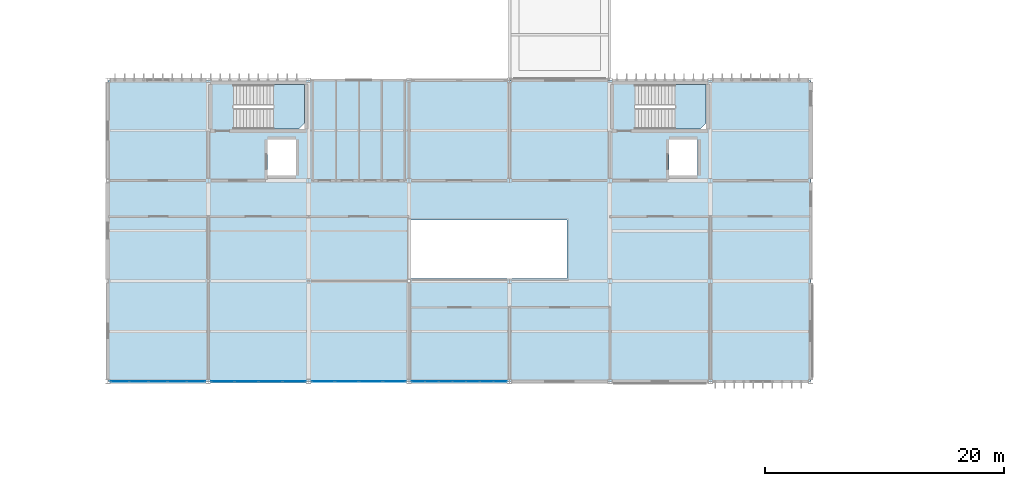
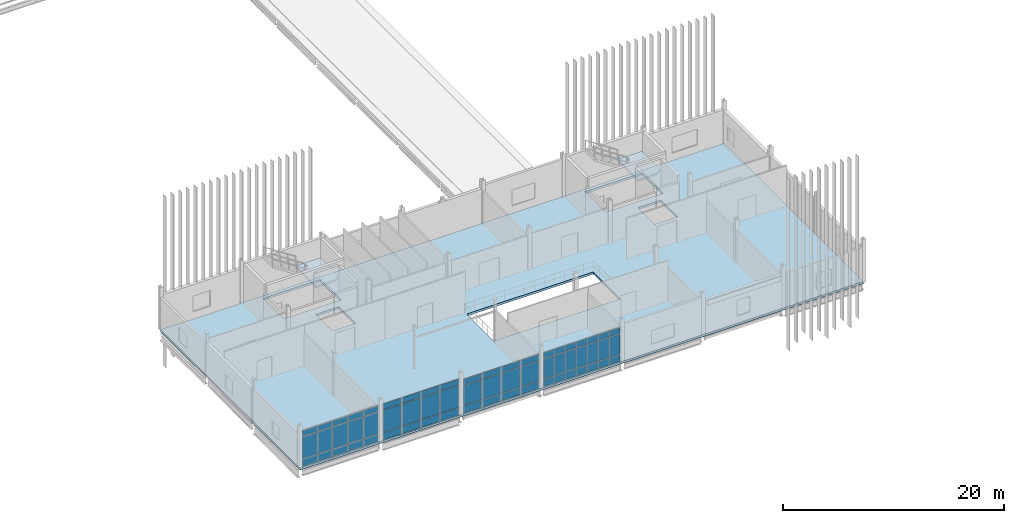
# One storey, part 29 of 72: 60 plates, 3 slabs, 6 elements without a shape of their own.
"""IFC4 building model written with IfcOpenShell, lengths in metres."""

from ifc_helpers import new_model, si_unit, direction, frame, origin, origin_2d, place, context, subcontext, project, spatial, polyline, rectangle, outline, extrude, material, layer, layer_set, type_object, element, aggregate, save


model = new_model("IFC4")

# Units and contexts
model_context = context("Model", 3, precision=1e-05, world=origin(), true_north=direction((0.0, 1.0)))
body_context = subcontext(model_context, "Body", "Model", "MODEL_VIEW")
ifc_project = project(units=[si_unit("LENGTHUNIT", "METRE"), si_unit("AREAUNIT", "SQUARE_METRE"), si_unit("VOLUMEUNIT", "CUBIC_METRE"), si_unit("PLANEANGLEUNIT", "RADIAN"), si_unit("MASSUNIT", "GRAM", prefix="KILO")], contexts=[model_context])

# Site, building, storey
site_placement = place(None, origin())
site = spatial("IfcSite", under=ifc_project, at=site_placement, CompositionType="ELEMENT")
building_placement = place(site_placement, origin())
building = spatial("IfcBuilding", under=site, at=building_placement, Name="Calvrana Isthmian Art Gallery", CompositionType="ELEMENT")
storey_placement = place(building_placement, frame((0.0, 0.0, 15.0)))
storey = spatial("IfcBuildingStorey", under=building, at=storey_placement, Name="L03", CompositionType="ELEMENT", Elevation=15.0)

# Curtain wall, plates
ifc_material_1 = material(Name="Anodized bronze aluminium 6063-T6", Category="aluminium")
ifc_layer_1 = layer(ifc_material_1, 0.179931640625, Name="Anodized bronze aluminium 6063-T6")
ifc_layer_set_1 = layer_set([ifc_layer_1], Name="Anodized bronze aluminium 6063-T6")
curtain_wall_type_1 = type_object("IfcCurtainWallType", Name="CW-STICK-080X41", PredefinedType="NOTDEFINED", material=ifc_layer_set_1)
curtain_wall_1_placement = place(storey_placement, origin())
curtain_wall_1 = element("IfcCurtainWall", 1, at=curtain_wall_1_placement, inside=storey, type_object=curtain_wall_type_1, Name="Curtain wall CW-190", PredefinedType="NOTDEFINED")
ifc_material_2 = material(Name="Polychrome glazed terracotta", Category="masonry")
ifc_layer_2 = layer(ifc_material_2, 0.033935546875, Name="Polychrome glazed terracotta")
ifc_layer_set_2 = layer_set([ifc_layer_2], Name="Polychrome glazed terracotta")
plate_type_1 = type_object("IfcPlateType", Name="CWP-SPANDREL-34", PredefinedType="CURTAIN_PANEL", material=ifc_layer_set_2)
plate_1_placement = place(storey_placement, frame((37.19140625, 21.60009765625, 0.06005859375), z_axis=(0.0, 0.0, 1.0), x_axis=(-1.0, 0.0, 0.0)))
plate_1 = element("IfcPlate", 2, at=plate_1_placement, type_object=plate_type_1, Name="CW-190 panel 1.1", PredefinedType="CURTAIN_PANEL", context=body_context, shape_type="SweptSolid", body=[
    extrude(rectangle(XDim=1.894287109375, YDim=0.033935546875, at=origin_2d()), origin(), (0.0, 0.0, 1.0), 0.81005859375),
])
plate_2_placement = place(storey_placement, frame((37.19140625, 21.60009765625, 0.93017578125), z_axis=(0.0, 0.0, 1.0), x_axis=(-1.0, 0.0, 0.0)))
plate_2 = element("IfcPlate", 3, at=plate_2_placement, type_object=plate_type_1, Name="CW-190 panel 1.2", PredefinedType="CURTAIN_PANEL", context=body_context, shape_type="SweptSolid", body=[
    extrude(rectangle(XDim=1.894287109375, YDim=0.033935546875, at=origin_2d()), origin(), (0.0, 0.0, 1.0), 2.410888671875),
])
plate_3_placement = place(storey_placement, frame((37.19140625, 21.60009765625, 3.40087890625), z_axis=(0.0, 0.0, 1.0), x_axis=(-1.0, 0.0, 0.0)))
plate_3 = element("IfcPlate", 4, at=plate_3_placement, type_object=plate_type_1, Name="CW-190 panel 1.3", PredefinedType="CURTAIN_PANEL", context=body_context, shape_type="SweptSolid", body=[
    extrude(rectangle(XDim=1.894287109375, YDim=0.033935546875, at=origin_2d()), origin(), (0.0, 0.0, 1.0), 0.659912109375),
])
plate_4_placement = place(storey_placement, frame((35.203369140625, 21.60009765625, 0.06005859375), z_axis=(0.0, 0.0, 1.0), x_axis=(-1.0, 0.0, 0.0)))
plate_4 = element("IfcPlate", 5, at=plate_4_placement, type_object=plate_type_1, Name="CW-190 panel 2.1", PredefinedType="CURTAIN_PANEL", context=body_context, shape_type="SweptSolid", body=[
    extrude(rectangle(XDim=1.931640625, YDim=0.033935546875, at=origin_2d()), origin(), (0.0, 0.0, 1.0), 0.81005859375),
])
plate_5_placement = place(storey_placement, frame((35.203369140625, 21.60009765625, 0.93017578125), z_axis=(0.0, 0.0, 1.0), x_axis=(-1.0, 0.0, 0.0)))
plate_5 = element("IfcPlate", 6, at=plate_5_placement, type_object=plate_type_1, Name="CW-190 panel 2.2", PredefinedType="CURTAIN_PANEL", context=body_context, shape_type="SweptSolid", body=[
    extrude(rectangle(XDim=1.931640625, YDim=0.033935546875, at=origin_2d()), origin(), (0.0, 0.0, 1.0), 2.410888671875),
])
plate_6_placement = place(storey_placement, frame((35.203369140625, 21.60009765625, 3.40087890625), z_axis=(0.0, 0.0, 1.0), x_axis=(-1.0, 0.0, 0.0)))
plate_6 = element("IfcPlate", 7, at=plate_6_placement, type_object=plate_type_1, Name="CW-190 panel 2.3", PredefinedType="CURTAIN_PANEL", context=body_context, shape_type="SweptSolid", body=[
    extrude(rectangle(XDim=1.931640625, YDim=0.033935546875, at=origin_2d()), origin(), (0.0, 0.0, 1.0), 0.659912109375),
])
plate_7_placement = place(storey_placement, frame((33.196533203125, 21.60009765625, 0.06005859375), z_axis=(0.0, 0.0, 1.0), x_axis=(-1.0, 0.0, 0.0)))
plate_7 = element("IfcPlate", 8, at=plate_7_placement, type_object=plate_type_1, Name="CW-190 panel 3.1", PredefinedType="CURTAIN_PANEL", context=body_context, shape_type="SweptSolid", body=[
    extrude(rectangle(XDim=1.931640625, YDim=0.033935546875, at=origin_2d()), origin(), (0.0, 0.0, 1.0), 0.81005859375),
])
plate_8_placement = place(storey_placement, frame((33.196533203125, 21.60009765625, 0.93017578125), z_axis=(0.0, 0.0, 1.0), x_axis=(-1.0, 0.0, 0.0)))
plate_8 = element("IfcPlate", 9, at=plate_8_placement, type_object=plate_type_1, Name="CW-190 panel 3.2", PredefinedType="CURTAIN_PANEL", context=body_context, shape_type="SweptSolid", body=[
    extrude(rectangle(XDim=1.931640625, YDim=0.033935546875, at=origin_2d()), origin(), (0.0, 0.0, 1.0), 2.410888671875),
])
plate_9_placement = place(storey_placement, frame((33.196533203125, 21.60009765625, 3.40087890625), z_axis=(0.0, 0.0, 1.0), x_axis=(-1.0, 0.0, 0.0)))
plate_9 = element("IfcPlate", 10, at=plate_9_placement, type_object=plate_type_1, Name="CW-190 panel 3.3", PredefinedType="CURTAIN_PANEL", context=body_context, shape_type="SweptSolid", body=[
    extrude(rectangle(XDim=1.931640625, YDim=0.033935546875, at=origin_2d()), origin(), (0.0, 0.0, 1.0), 0.659912109375),
])
plate_10_placement = place(storey_placement, frame((31.208740234375, 21.60009765625, 0.06005859375), z_axis=(0.0, 0.0, 1.0), x_axis=(-1.0, 0.0, 0.0)))
plate_10 = element("IfcPlate", 11, at=plate_10_placement, type_object=plate_type_1, Name="CW-190 panel 4.1", PredefinedType="CURTAIN_PANEL", context=body_context, shape_type="SweptSolid", body=[
    extrude(rectangle(XDim=1.894287109375, YDim=0.033935546875, at=origin_2d()), origin(), (0.0, 0.0, 1.0), 0.81005859375),
])
plate_11_placement = place(storey_placement, frame((31.208740234375, 21.60009765625, 0.93017578125), z_axis=(0.0, 0.0, 1.0), x_axis=(-1.0, 0.0, 0.0)))
plate_11 = element("IfcPlate", 12, at=plate_11_placement, type_object=plate_type_1, Name="CW-190 panel 4.2", PredefinedType="CURTAIN_PANEL", context=body_context, shape_type="SweptSolid", body=[
    extrude(rectangle(XDim=1.894287109375, YDim=0.033935546875, at=origin_2d()), origin(), (0.0, 0.0, 1.0), 2.410888671875),
])
plate_12_placement = place(storey_placement, frame((31.208740234375, 21.60009765625, 3.40087890625), z_axis=(0.0, 0.0, 1.0), x_axis=(-1.0, 0.0, 0.0)))
plate_12 = element("IfcPlate", 13, at=plate_12_placement, type_object=plate_type_1, Name="CW-190 panel 4.3", PredefinedType="CURTAIN_PANEL", context=body_context, shape_type="SweptSolid", body=[
    extrude(rectangle(XDim=1.894287109375, YDim=0.033935546875, at=origin_2d()), origin(), (0.0, 0.0, 1.0), 0.659912109375),
])
aggregate(curtain_wall_1, [plate_1, plate_2, plate_3, plate_4, plate_5, plate_6, plate_7, plate_8, plate_9, plate_10, plate_11, plate_12])

curtain_wall_2_placement = place(storey_placement, origin())
curtain_wall_2 = element("IfcCurtainWall", 14, at=curtain_wall_2_placement, inside=storey, type_object=curtain_wall_type_1, Name="Curtain wall CW-189", PredefinedType="NOTDEFINED")
ifc_material_3 = material(Name="Low-E laminated solar glass", Category="glass")
ifc_layer_3 = layer(ifc_material_3, 0.028076171875, Name="Low-E laminated solar glass")
ifc_layer_set_3 = layer_set([ifc_layer_3], Name="Low-E laminated solar glass")
plate_type_2 = type_object("IfcPlateType", Name="CWP-VISION-28", PredefinedType="CURTAIN_PANEL", material=ifc_layer_set_3)
plate_13_placement = place(storey_placement, frame((28.9931640625, 21.60009765625, 0.074951171875), z_axis=(0.0, 0.0, 1.0), x_axis=(-1.0, 0.0, 0.0)))
plate_13 = element("IfcPlate", 15, at=plate_13_placement, type_object=plate_type_2, Name="CW-189 panel 1.1", PredefinedType="CURTAIN_PANEL", context=body_context, shape_type="SweptSolid", body=[
    extrude(rectangle(XDim=1.5009765625, YDim=0.028076171875, at=origin_2d()), origin(), (0.0, 0.0, 1.0), 0.78759765625),
])
plate_14_placement = place(storey_placement, frame((28.9931640625, 21.60009765625, 0.9375), z_axis=(0.0, 0.0, 1.0), x_axis=(-1.0, 0.0, 0.0)))
plate_14 = element("IfcPlate", 16, at=plate_14_placement, type_object=plate_type_2, Name="CW-189 panel 1.2", PredefinedType="CURTAIN_PANEL", context=body_context, shape_type="SweptSolid", body=[
    extrude(rectangle(XDim=1.5009765625, YDim=0.028076171875, at=origin_2d()), origin(), (0.0, 0.0, 1.0), 2.39599609375),
])
plate_15_placement = place(storey_placement, frame((28.9931640625, 21.60009765625, 3.40869140625), z_axis=(0.0, 0.0, 1.0), x_axis=(-1.0, 0.0, 0.0)))
plate_15 = element("IfcPlate", 17, at=plate_15_placement, type_object=plate_type_2, Name="CW-189 panel 1.3", PredefinedType="CURTAIN_PANEL", context=body_context, shape_type="SweptSolid", body=[
    extrude(rectangle(XDim=1.5009765625, YDim=0.028076171875, at=origin_2d()), origin(), (0.0, 0.0, 1.0), 0.637451171875),
])
plate_16_placement = place(storey_placement, frame((27.404541015625, 21.60009765625, 0.074951171875), z_axis=(0.0, 0.0, 1.0), x_axis=(-1.0, 0.0, 0.0)))
plate_16 = element("IfcPlate", 18, at=plate_16_placement, type_object=plate_type_2, Name="CW-189 panel 2.1", PredefinedType="CURTAIN_PANEL", context=body_context, shape_type="SweptSolid", body=[
    extrude(rectangle(XDim=1.535888671875, YDim=0.028076171875, at=origin_2d()), origin(), (0.0, 0.0, 1.0), 0.78759765625),
])
plate_17_placement = place(storey_placement, frame((27.404541015625, 21.60009765625, 0.9375), z_axis=(0.0, 0.0, 1.0), x_axis=(-1.0, 0.0, 0.0)))
plate_17 = element("IfcPlate", 19, at=plate_17_placement, type_object=plate_type_2, Name="CW-189 panel 2.2", PredefinedType="CURTAIN_PANEL", context=body_context, shape_type="SweptSolid", body=[
    extrude(rectangle(XDim=1.535888671875, YDim=0.028076171875, at=origin_2d()), origin(), (0.0, 0.0, 1.0), 2.39599609375),
])
plate_18_placement = place(storey_placement, frame((27.404541015625, 21.60009765625, 3.40869140625), z_axis=(0.0, 0.0, 1.0), x_axis=(-1.0, 0.0, 0.0)))
plate_18 = element("IfcPlate", 20, at=plate_18_placement, type_object=plate_type_2, Name="CW-189 panel 2.3", PredefinedType="CURTAIN_PANEL", context=body_context, shape_type="SweptSolid", body=[
    extrude(rectangle(XDim=1.535888671875, YDim=0.028076171875, at=origin_2d()), origin(), (0.0, 0.0, 1.0), 0.637451171875),
])
plate_19_placement = place(storey_placement, frame((25.798828125, 21.60009765625, 0.074951171875), z_axis=(0.0, 0.0, 1.0), x_axis=(-1.0, 0.0, 0.0)))
plate_19 = element("IfcPlate", 21, at=plate_19_placement, type_object=plate_type_2, Name="CW-189 panel 3.1", PredefinedType="CURTAIN_PANEL", context=body_context, shape_type="SweptSolid", body=[
    extrude(rectangle(XDim=1.535888671875, YDim=0.028076171875, at=origin_2d()), origin(), (0.0, 0.0, 1.0), 0.78759765625),
])
plate_20_placement = place(storey_placement, frame((25.798828125, 21.60009765625, 0.9375), z_axis=(0.0, 0.0, 1.0), x_axis=(-1.0, 0.0, 0.0)))
plate_20 = element("IfcPlate", 22, at=plate_20_placement, type_object=plate_type_2, Name="CW-189 panel 3.2", PredefinedType="CURTAIN_PANEL", context=body_context, shape_type="SweptSolid", body=[
    extrude(rectangle(XDim=1.535888671875, YDim=0.028076171875, at=origin_2d()), origin(), (0.0, 0.0, 1.0), 2.39599609375),
])
plate_21_placement = place(storey_placement, frame((25.798828125, 21.60009765625, 3.40869140625), z_axis=(0.0, 0.0, 1.0), x_axis=(-1.0, 0.0, 0.0)))
plate_21 = element("IfcPlate", 23, at=plate_21_placement, type_object=plate_type_2, Name="CW-189 panel 3.3", PredefinedType="CURTAIN_PANEL", context=body_context, shape_type="SweptSolid", body=[
    extrude(rectangle(XDim=1.535888671875, YDim=0.028076171875, at=origin_2d()), origin(), (0.0, 0.0, 1.0), 0.637451171875),
])
plate_22_placement = place(storey_placement, frame((24.19287109375, 21.60009765625, 0.074951171875), z_axis=(0.0, 0.0, 1.0), x_axis=(-1.0, 0.0, 0.0)))
plate_22 = element("IfcPlate", 24, at=plate_22_placement, type_object=plate_type_2, Name="CW-189 panel 4.1", PredefinedType="CURTAIN_PANEL", context=body_context, shape_type="SweptSolid", body=[
    extrude(rectangle(XDim=1.535888671875, YDim=0.028076171875, at=origin_2d()), origin(), (0.0, 0.0, 1.0), 0.78759765625),
])
plate_23_placement = place(storey_placement, frame((24.19287109375, 21.60009765625, 0.9375), z_axis=(0.0, 0.0, 1.0), x_axis=(-1.0, 0.0, 0.0)))
plate_23 = element("IfcPlate", 25, at=plate_23_placement, type_object=plate_type_2, Name="CW-189 panel 4.2", PredefinedType="CURTAIN_PANEL", context=body_context, shape_type="SweptSolid", body=[
    extrude(rectangle(XDim=1.535888671875, YDim=0.028076171875, at=origin_2d()), origin(), (0.0, 0.0, 1.0), 2.39599609375),
])
plate_24_placement = place(storey_placement, frame((24.19287109375, 21.60009765625, 3.40869140625), z_axis=(0.0, 0.0, 1.0), x_axis=(-1.0, 0.0, 0.0)))
plate_24 = element("IfcPlate", 26, at=plate_24_placement, type_object=plate_type_2, Name="CW-189 panel 4.3", PredefinedType="CURTAIN_PANEL", context=body_context, shape_type="SweptSolid", body=[
    extrude(rectangle(XDim=1.535888671875, YDim=0.028076171875, at=origin_2d()), origin(), (0.0, 0.0, 1.0), 0.637451171875),
])
plate_25_placement = place(storey_placement, frame((22.6044921875, 21.60009765625, 0.074951171875), z_axis=(0.0, 0.0, 1.0), x_axis=(-1.0, 0.0, 0.0)))
plate_25 = element("IfcPlate", 27, at=plate_25_placement, type_object=plate_type_2, Name="CW-189 panel 5.1", PredefinedType="CURTAIN_PANEL", context=body_context, shape_type="SweptSolid", body=[
    extrude(rectangle(XDim=1.5009765625, YDim=0.028076171875, at=origin_2d()), origin(), (0.0, 0.0, 1.0), 0.78759765625),
])
plate_26_placement = place(storey_placement, frame((22.6044921875, 21.60009765625, 0.9375), z_axis=(0.0, 0.0, 1.0), x_axis=(-1.0, 0.0, 0.0)))
plate_26 = element("IfcPlate", 28, at=plate_26_placement, type_object=plate_type_2, Name="CW-189 panel 5.2", PredefinedType="CURTAIN_PANEL", context=body_context, shape_type="SweptSolid", body=[
    extrude(rectangle(XDim=1.5009765625, YDim=0.028076171875, at=origin_2d()), origin(), (0.0, 0.0, 1.0), 2.39599609375),
])
plate_27_placement = place(storey_placement, frame((22.6044921875, 21.60009765625, 3.40869140625), z_axis=(0.0, 0.0, 1.0), x_axis=(-1.0, 0.0, 0.0)))
plate_27 = element("IfcPlate", 29, at=plate_27_placement, type_object=plate_type_2, Name="CW-189 panel 5.3", PredefinedType="CURTAIN_PANEL", context=body_context, shape_type="SweptSolid", body=[
    extrude(rectangle(XDim=1.5009765625, YDim=0.028076171875, at=origin_2d()), origin(), (0.0, 0.0, 1.0), 0.637451171875),
])
aggregate(curtain_wall_2, [plate_13, plate_14, plate_15, plate_16, plate_17, plate_18, plate_19, plate_20, plate_21, plate_22, plate_23, plate_24, plate_25, plate_26, plate_27])

ifc_layer_4 = layer(ifc_material_1, 0.179931640625, Name="Anodized bronze aluminium 6063-T6")
ifc_layer_set_4 = layer_set([ifc_layer_4], Name="Anodized bronze aluminium 6063-T6")
curtain_wall_type_2 = type_object("IfcCurtainWallType", Name="CW-STICK-080X39", PredefinedType="NOTDEFINED", material=ifc_layer_set_4)
curtain_wall_3_placement = place(storey_placement, origin())
curtain_wall_3 = element("IfcCurtainWall", 30, at=curtain_wall_3_placement, inside=storey, type_object=curtain_wall_type_2, Name="Curtain wall CW-191", PredefinedType="NOTDEFINED")
plate_28_placement = place(storey_placement, frame((45.591064453125, 21.60009765625, 0.06005859375), z_axis=(0.0, 0.0, 1.0), x_axis=(-1.0, 0.0, 0.0)))
plate_28 = element("IfcPlate", 31, at=plate_28_placement, type_object=plate_type_2, Name="CW-191 panel 1.1", PredefinedType="CURTAIN_PANEL", context=body_context, shape_type="SweptSolid", body=[
    extrude(rectangle(XDim=1.886962890625, YDim=0.028076171875, at=origin_2d()), origin(), (0.0, 0.0, 1.0), 0.81005859375),
])
plate_29_placement = place(storey_placement, frame((45.591064453125, 21.60009765625, 0.929931640625), z_axis=(0.0, 0.0, 1.0), x_axis=(-1.0, 0.0, 0.0)))
plate_29 = element("IfcPlate", 32, at=plate_29_placement, type_object=plate_type_2, Name="CW-191 panel 1.2", PredefinedType="CURTAIN_PANEL", context=body_context, shape_type="SweptSolid", body=[
    extrude(rectangle(XDim=1.886962890625, YDim=0.028076171875, at=origin_2d()), origin(), (0.0, 0.0, 1.0), 2.18798828125),
])
plate_30_placement = place(storey_placement, frame((45.591064453125, 21.60009765625, 3.17822265625), z_axis=(0.0, 0.0, 1.0), x_axis=(-1.0, 0.0, 0.0)))
plate_30 = element("IfcPlate", 33, at=plate_30_placement, type_object=plate_type_2, Name="CW-191 panel 1.3", PredefinedType="CURTAIN_PANEL", context=body_context, shape_type="SweptSolid", body=[
    extrude(rectangle(XDim=1.886962890625, YDim=0.028076171875, at=origin_2d()), origin(), (0.0, 0.0, 1.0), 0.659912109375),
])
plate_31_placement = place(storey_placement, frame((43.60400390625, 21.60009765625, 0.06005859375), z_axis=(0.0, 0.0, 1.0), x_axis=(-1.0, 0.0, 0.0)))
plate_31 = element("IfcPlate", 34, at=plate_31_placement, type_object=plate_type_2, Name="CW-191 panel 2.1", PredefinedType="CURTAIN_PANEL", context=body_context, shape_type="SweptSolid", body=[
    extrude(rectangle(XDim=1.927001953125, YDim=0.028076171875, at=origin_2d()), origin(), (0.0, 0.0, 1.0), 0.81005859375),
])
plate_32_placement = place(storey_placement, frame((43.60400390625, 21.60009765625, 0.929931640625), z_axis=(0.0, 0.0, 1.0), x_axis=(-1.0, 0.0, 0.0)))
plate_32 = element("IfcPlate", 35, at=plate_32_placement, type_object=plate_type_2, Name="CW-191 panel 2.2", PredefinedType="CURTAIN_PANEL", context=body_context, shape_type="SweptSolid", body=[
    extrude(rectangle(XDim=1.927001953125, YDim=0.028076171875, at=origin_2d()), origin(), (0.0, 0.0, 1.0), 2.18798828125),
])
plate_33_placement = place(storey_placement, frame((43.60400390625, 21.60009765625, 3.17822265625), z_axis=(0.0, 0.0, 1.0), x_axis=(-1.0, 0.0, 0.0)))
plate_33 = element("IfcPlate", 36, at=plate_33_placement, type_object=plate_type_2, Name="CW-191 panel 2.3", PredefinedType="CURTAIN_PANEL", context=body_context, shape_type="SweptSolid", body=[
    extrude(rectangle(XDim=1.927001953125, YDim=0.028076171875, at=origin_2d()), origin(), (0.0, 0.0, 1.0), 0.659912109375),
])
plate_34_placement = place(storey_placement, frame((41.596923828125, 21.60009765625, 0.06005859375), z_axis=(0.0, 0.0, 1.0), x_axis=(-1.0, 0.0, 0.0)))
plate_34 = element("IfcPlate", 37, at=plate_34_placement, type_object=plate_type_2, Name="CW-191 panel 3.1", PredefinedType="CURTAIN_PANEL", context=body_context, shape_type="SweptSolid", body=[
    extrude(rectangle(XDim=1.927001953125, YDim=0.028076171875, at=origin_2d()), origin(), (0.0, 0.0, 1.0), 0.81005859375),
])
plate_35_placement = place(storey_placement, frame((41.596923828125, 21.60009765625, 0.929931640625), z_axis=(0.0, 0.0, 1.0), x_axis=(-1.0, 0.0, 0.0)))
plate_35 = element("IfcPlate", 38, at=plate_35_placement, type_object=plate_type_2, Name="CW-191 panel 3.2", PredefinedType="CURTAIN_PANEL", context=body_context, shape_type="SweptSolid", body=[
    extrude(rectangle(XDim=1.927001953125, YDim=0.028076171875, at=origin_2d()), origin(), (0.0, 0.0, 1.0), 2.18798828125),
])
plate_36_placement = place(storey_placement, frame((41.596923828125, 21.60009765625, 3.17822265625), z_axis=(0.0, 0.0, 1.0), x_axis=(-1.0, 0.0, 0.0)))
plate_36 = element("IfcPlate", 39, at=plate_36_placement, type_object=plate_type_2, Name="CW-191 panel 3.3", PredefinedType="CURTAIN_PANEL", context=body_context, shape_type="SweptSolid", body=[
    extrude(rectangle(XDim=1.927001953125, YDim=0.028076171875, at=origin_2d()), origin(), (0.0, 0.0, 1.0), 0.659912109375),
])
plate_37_placement = place(storey_placement, frame((39.610107421875, 21.60009765625, 0.06005859375), z_axis=(0.0, 0.0, 1.0), x_axis=(-1.0, 0.0, 0.0)))
plate_37 = element("IfcPlate", 40, at=plate_37_placement, type_object=plate_type_2, Name="CW-191 panel 4.1", PredefinedType="CURTAIN_PANEL", context=body_context, shape_type="SweptSolid", body=[
    extrude(rectangle(XDim=1.886962890625, YDim=0.028076171875, at=origin_2d()), origin(), (0.0, 0.0, 1.0), 0.81005859375),
])
plate_38_placement = place(storey_placement, frame((39.610107421875, 21.60009765625, 0.929931640625), z_axis=(0.0, 0.0, 1.0), x_axis=(-1.0, 0.0, 0.0)))
plate_38 = element("IfcPlate", 41, at=plate_38_placement, type_object=plate_type_2, Name="CW-191 panel 4.2", PredefinedType="CURTAIN_PANEL", context=body_context, shape_type="SweptSolid", body=[
    extrude(rectangle(XDim=1.886962890625, YDim=0.028076171875, at=origin_2d()), origin(), (0.0, 0.0, 1.0), 2.18798828125),
])
plate_39_placement = place(storey_placement, frame((39.610107421875, 21.60009765625, 3.17822265625), z_axis=(0.0, 0.0, 1.0), x_axis=(-1.0, 0.0, 0.0)))
plate_39 = element("IfcPlate", 42, at=plate_39_placement, type_object=plate_type_2, Name="CW-191 panel 4.3", PredefinedType="CURTAIN_PANEL", context=body_context, shape_type="SweptSolid", body=[
    extrude(rectangle(XDim=1.886962890625, YDim=0.028076171875, at=origin_2d()), origin(), (0.0, 0.0, 1.0), 0.659912109375),
])
aggregate(curtain_wall_3, [plate_28, plate_29, plate_30, plate_31, plate_32, plate_33, plate_34, plate_35, plate_36, plate_37, plate_38, plate_39])

curtain_wall_4_placement = place(storey_placement, origin())
curtain_wall_4 = element("IfcCurtainWall", 43, at=curtain_wall_4_placement, inside=storey, type_object=curtain_wall_type_2, Name="Curtain wall CW-192", PredefinedType="NOTDEFINED")
plate_40_placement = place(storey_placement, frame((54.427490234375, 21.60009765625, 0.06494140625), z_axis=(0.0, 0.0, 1.0), x_axis=(-1.0, 0.0, 0.0)))
plate_40 = element("IfcPlate", 44, at=plate_40_placement, type_object=plate_type_2, Name="CW-192 panel 1.1", PredefinedType="CURTAIN_PANEL", context=body_context, shape_type="SweptSolid", body=[
    extrude(rectangle(XDim=1.05712890625, YDim=0.028076171875, at=origin_2d()), origin(), (0.0, 0.0, 1.0), 0.802490234375),
])
plate_41_placement = place(storey_placement, frame((54.427490234375, 21.60009765625, 0.9326171875), z_axis=(0.0, 0.0, 1.0), x_axis=(-1.0, 0.0, 0.0)))
plate_41 = element("IfcPlate", 45, at=plate_41_placement, type_object=plate_type_2, Name="CW-192 panel 1.2", PredefinedType="CURTAIN_PANEL", context=body_context, shape_type="SweptSolid", body=[
    extrude(rectangle(XDim=1.05712890625, YDim=0.028076171875, at=origin_2d()), origin(), (0.0, 0.0, 1.0), 2.193115234375),
])
plate_42_placement = place(storey_placement, frame((54.427490234375, 21.60009765625, 3.1904296875), z_axis=(0.0, 0.0, 1.0), x_axis=(-1.0, 0.0, 0.0)))
plate_42 = element("IfcPlate", 46, at=plate_42_placement, type_object=plate_type_2, Name="CW-192 panel 1.3", PredefinedType="CURTAIN_PANEL", context=body_context, shape_type="SweptSolid", body=[
    extrude(rectangle(XDim=1.05712890625, YDim=0.028076171875, at=origin_2d()), origin(), (0.0, 0.0, 1.0), 0.652587890625),
])
plate_43_placement = place(storey_placement, frame((53.295166015625, 21.60009765625, 0.06494140625), z_axis=(0.0, 0.0, 1.0), x_axis=(-1.0, 0.0, 0.0)))
plate_43 = element("IfcPlate", 47, at=plate_43_placement, type_object=plate_type_2, Name="CW-192 panel 2.1", PredefinedType="CURTAIN_PANEL", context=body_context, shape_type="SweptSolid", body=[
    extrude(rectangle(XDim=1.087158203125, YDim=0.028076171875, at=origin_2d()), origin(), (0.0, 0.0, 1.0), 0.802490234375),
])
plate_44_placement = place(storey_placement, frame((53.295166015625, 21.60009765625, 0.9326171875), z_axis=(0.0, 0.0, 1.0), x_axis=(-1.0, 0.0, 0.0)))
plate_44 = element("IfcPlate", 48, at=plate_44_placement, type_object=plate_type_2, Name="CW-192 panel 2.2", PredefinedType="CURTAIN_PANEL", context=body_context, shape_type="SweptSolid", body=[
    extrude(rectangle(XDim=1.087158203125, YDim=0.028076171875, at=origin_2d()), origin(), (0.0, 0.0, 1.0), 2.193115234375),
])
plate_45_placement = place(storey_placement, frame((53.295166015625, 21.60009765625, 3.1904296875), z_axis=(0.0, 0.0, 1.0), x_axis=(-1.0, 0.0, 0.0)))
plate_45 = element("IfcPlate", 49, at=plate_45_placement, type_object=plate_type_2, Name="CW-192 panel 2.3", PredefinedType="CURTAIN_PANEL", context=body_context, shape_type="SweptSolid", body=[
    extrude(rectangle(XDim=1.087158203125, YDim=0.028076171875, at=origin_2d()), origin(), (0.0, 0.0, 1.0), 0.652587890625),
])
plate_46_placement = place(storey_placement, frame((52.14794921875, 21.60009765625, 0.06494140625), z_axis=(0.0, 0.0, 1.0), x_axis=(-1.0, 0.0, 0.0)))
plate_46 = element("IfcPlate", 50, at=plate_46_placement, type_object=plate_type_2, Name="CW-192 panel 3.1", PredefinedType="CURTAIN_PANEL", context=body_context, shape_type="SweptSolid", body=[
    extrude(rectangle(XDim=1.087158203125, YDim=0.028076171875, at=origin_2d()), origin(), (0.0, 0.0, 1.0), 0.802490234375),
])
plate_47_placement = place(storey_placement, frame((52.14794921875, 21.60009765625, 0.9326171875), z_axis=(0.0, 0.0, 1.0), x_axis=(-1.0, 0.0, 0.0)))
plate_47 = element("IfcPlate", 51, at=plate_47_placement, type_object=plate_type_2, Name="CW-192 panel 3.2", PredefinedType="CURTAIN_PANEL", context=body_context, shape_type="SweptSolid", body=[
    extrude(rectangle(XDim=1.087158203125, YDim=0.028076171875, at=origin_2d()), origin(), (0.0, 0.0, 1.0), 2.193115234375),
])
plate_48_placement = place(storey_placement, frame((52.14794921875, 21.60009765625, 3.1904296875), z_axis=(0.0, 0.0, 1.0), x_axis=(-1.0, 0.0, 0.0)))
plate_48 = element("IfcPlate", 52, at=plate_48_placement, type_object=plate_type_2, Name="CW-192 panel 3.3", PredefinedType="CURTAIN_PANEL", context=body_context, shape_type="SweptSolid", body=[
    extrude(rectangle(XDim=1.087158203125, YDim=0.028076171875, at=origin_2d()), origin(), (0.0, 0.0, 1.0), 0.652587890625),
])
plate_49_placement = place(storey_placement, frame((51.000732421875, 21.60009765625, 0.06494140625), z_axis=(0.0, 0.0, 1.0), x_axis=(-1.0, 0.0, 0.0)))
plate_49 = element("IfcPlate", 53, at=plate_49_placement, type_object=plate_type_2, Name="CW-192 panel 4.1", PredefinedType="CURTAIN_PANEL", context=body_context, shape_type="SweptSolid", body=[
    extrude(rectangle(XDim=1.087158203125, YDim=0.028076171875, at=origin_2d()), origin(), (0.0, 0.0, 1.0), 0.802490234375),
])
plate_50_placement = place(storey_placement, frame((51.000732421875, 21.60009765625, 0.9326171875), z_axis=(0.0, 0.0, 1.0), x_axis=(-1.0, 0.0, 0.0)))
plate_50 = element("IfcPlate", 54, at=plate_50_placement, type_object=plate_type_2, Name="CW-192 panel 4.2", PredefinedType="CURTAIN_PANEL", context=body_context, shape_type="SweptSolid", body=[
    extrude(rectangle(XDim=1.087158203125, YDim=0.028076171875, at=origin_2d()), origin(), (0.0, 0.0, 1.0), 2.193115234375),
])
plate_51_placement = place(storey_placement, frame((51.000732421875, 21.60009765625, 3.1904296875), z_axis=(0.0, 0.0, 1.0), x_axis=(-1.0, 0.0, 0.0)))
plate_51 = element("IfcPlate", 55, at=plate_51_placement, type_object=plate_type_2, Name="CW-192 panel 4.3", PredefinedType="CURTAIN_PANEL", context=body_context, shape_type="SweptSolid", body=[
    extrude(rectangle(XDim=1.087158203125, YDim=0.028076171875, at=origin_2d()), origin(), (0.0, 0.0, 1.0), 0.652587890625),
])
plate_52_placement = place(storey_placement, frame((49.853515625, 21.60009765625, 0.06494140625), z_axis=(0.0, 0.0, 1.0), x_axis=(-1.0, 0.0, 0.0)))
plate_52 = element("IfcPlate", 56, at=plate_52_placement, type_object=plate_type_2, Name="CW-192 panel 5.1", PredefinedType="CURTAIN_PANEL", context=body_context, shape_type="SweptSolid", body=[
    extrude(rectangle(XDim=1.087158203125, YDim=0.028076171875, at=origin_2d()), origin(), (0.0, 0.0, 1.0), 0.802490234375),
])
plate_53_placement = place(storey_placement, frame((49.853515625, 21.60009765625, 0.9326171875), z_axis=(0.0, 0.0, 1.0), x_axis=(-1.0, 0.0, 0.0)))
plate_53 = element("IfcPlate", 57, at=plate_53_placement, type_object=plate_type_2, Name="CW-192 panel 5.2", PredefinedType="CURTAIN_PANEL", context=body_context, shape_type="SweptSolid", body=[
    extrude(rectangle(XDim=1.087158203125, YDim=0.028076171875, at=origin_2d()), origin(), (0.0, 0.0, 1.0), 2.193115234375),
])
plate_54_placement = place(storey_placement, frame((49.853515625, 21.60009765625, 3.1904296875), z_axis=(0.0, 0.0, 1.0), x_axis=(-1.0, 0.0, 0.0)))
plate_54 = element("IfcPlate", 58, at=plate_54_placement, type_object=plate_type_2, Name="CW-192 panel 5.3", PredefinedType="CURTAIN_PANEL", context=body_context, shape_type="SweptSolid", body=[
    extrude(rectangle(XDim=1.087158203125, YDim=0.028076171875, at=origin_2d()), origin(), (0.0, 0.0, 1.0), 0.652587890625),
])
plate_55_placement = place(storey_placement, frame((48.706298828125, 21.60009765625, 0.06494140625), z_axis=(0.0, 0.0, 1.0), x_axis=(-1.0, 0.0, 0.0)))
plate_55 = element("IfcPlate", 59, at=plate_55_placement, type_object=plate_type_2, Name="CW-192 panel 6.1", PredefinedType="CURTAIN_PANEL", context=body_context, shape_type="SweptSolid", body=[
    extrude(rectangle(XDim=1.087158203125, YDim=0.028076171875, at=origin_2d()), origin(), (0.0, 0.0, 1.0), 0.802490234375),
])
plate_56_placement = place(storey_placement, frame((48.706298828125, 21.60009765625, 0.9326171875), z_axis=(0.0, 0.0, 1.0), x_axis=(-1.0, 0.0, 0.0)))
plate_56 = element("IfcPlate", 60, at=plate_56_placement, type_object=plate_type_2, Name="CW-192 panel 6.2", PredefinedType="CURTAIN_PANEL", context=body_context, shape_type="SweptSolid", body=[
    extrude(rectangle(XDim=1.087158203125, YDim=0.028076171875, at=origin_2d()), origin(), (0.0, 0.0, 1.0), 2.193115234375),
])
plate_57_placement = place(storey_placement, frame((48.706298828125, 21.60009765625, 3.1904296875), z_axis=(0.0, 0.0, 1.0), x_axis=(-1.0, 0.0, 0.0)))
plate_57 = element("IfcPlate", 61, at=plate_57_placement, type_object=plate_type_2, Name="CW-192 panel 6.3", PredefinedType="CURTAIN_PANEL", context=body_context, shape_type="SweptSolid", body=[
    extrude(rectangle(XDim=1.087158203125, YDim=0.028076171875, at=origin_2d()), origin(), (0.0, 0.0, 1.0), 0.652587890625),
])
plate_58_placement = place(storey_placement, frame((47.57421875, 21.60009765625, 0.06494140625), z_axis=(0.0, 0.0, 1.0), x_axis=(-1.0, 0.0, 0.0)))
plate_58 = element("IfcPlate", 62, at=plate_58_placement, type_object=plate_type_2, Name="CW-192 panel 7.1", PredefinedType="CURTAIN_PANEL", context=body_context, shape_type="SweptSolid", body=[
    extrude(rectangle(XDim=1.05712890625, YDim=0.028076171875, at=origin_2d()), origin(), (0.0, 0.0, 1.0), 0.802490234375),
])
plate_59_placement = place(storey_placement, frame((47.57421875, 21.60009765625, 0.9326171875), z_axis=(0.0, 0.0, 1.0), x_axis=(-1.0, 0.0, 0.0)))
plate_59 = element("IfcPlate", 63, at=plate_59_placement, type_object=plate_type_2, Name="CW-192 panel 7.2", PredefinedType="CURTAIN_PANEL", context=body_context, shape_type="SweptSolid", body=[
    extrude(rectangle(XDim=1.05712890625, YDim=0.028076171875, at=origin_2d()), origin(), (0.0, 0.0, 1.0), 2.193115234375),
])
plate_60_placement = place(storey_placement, frame((47.57421875, 21.60009765625, 3.1904296875), z_axis=(0.0, 0.0, 1.0), x_axis=(-1.0, 0.0, 0.0)))
plate_60 = element("IfcPlate", 64, at=plate_60_placement, type_object=plate_type_2, Name="CW-192 panel 7.3", PredefinedType="CURTAIN_PANEL", context=body_context, shape_type="SweptSolid", body=[
    extrude(rectangle(XDim=1.05712890625, YDim=0.028076171875, at=origin_2d()), origin(), (0.0, 0.0, 1.0), 0.652587890625),
])
aggregate(curtain_wall_4, [plate_40, plate_41, plate_42, plate_43, plate_44, plate_45, plate_46, plate_47, plate_48, plate_49, plate_50, plate_51, plate_52, plate_53, plate_54, plate_55, plate_56, plate_57, plate_58, plate_59, plate_60])

# Slab
ifc_material_4 = material(Name="Concrete C40/50", Category="concrete")
ifc_layer_5 = layer(ifc_material_4, 0.239990234375, Name="Concrete C40/50")
ifc_layer_set_5 = layer_set([ifc_layer_5], Name="Concrete C40/50")
slab_type_1 = type_object("IfcSlabType", Name="SLB-FLR-240", PredefinedType="FLOOR", material=ifc_layer_set_5)
slab_1_placement = place(storey_placement, frame((0.0, 0.0, -0.239990234375)))
element("IfcSlab", 65, at=slab_1_placement, inside=storey, type_object=slab_type_1, Name="Floor slab V1_L03", PredefinedType="FLOOR", context=body_context, shape_type="SweptSolid", body=[
    extrude(outline(polyline([(21.60009765625, 21.60009765625), (80.39990234375, 21.60009765625), (80.39990234375, 46.800048828125), (21.60009765625, 46.800048828125), (21.60009765625, 21.60009765625)]), holes=[polyline([(32.10009765625, 42.7099609375), (38.06005859375, 42.7099609375), (38.06005859375, 46.429931640625), (32.10009765625, 46.429931640625), (32.10009765625, 42.7099609375)]), polyline([(34.949951171875, 38.85009765625), (37.35009765625, 38.85009765625), (37.35009765625, 41.85009765625), (34.949951171875, 41.85009765625), (34.949951171875, 38.85009765625)]), polyline([(65.699951171875, 42.7099609375), (71.659912109375, 42.7099609375), (71.659912109375, 46.429931640625), (65.699951171875, 46.429931640625), (65.699951171875, 42.7099609375)]), polyline([(68.550048828125, 38.85009765625), (70.949951171875, 38.85009765625), (70.949951171875, 41.85009765625), (68.550048828125, 41.85009765625), (68.550048828125, 38.85009765625)]), polyline([(46.800048828125, 30.199951171875), (60.0, 30.199951171875), (60.0, 35.10009765625), (46.800048828125, 35.10009765625), (46.800048828125, 30.199951171875)])]), origin(), (0.0, 0.0, 1.0), 0.239990234375),
])

# Stair, slab
stair_type = type_object("IfcStairType", Name="STR-HT-480W", PredefinedType="HALF_TURN_STAIR", material=ifc_material_4)
stair_1_placement = place(storey_placement, origin())
stair_1 = element("IfcStair", 66, at=stair_1_placement, inside=storey, type_object=stair_type, Name="Protected exit stair ST-1 (L03)", PredefinedType="HALF_TURN_STAIR")
ifc_layer_6 = layer(ifc_material_4, 0.199951171875, Name="Concrete C40/50")
ifc_layer_set_6 = layer_set([ifc_layer_6], Name="Concrete C40/50")
slab_type_2 = type_object("IfcSlabType", Name="SLB-LAND-200", PredefinedType="LANDING", material=ifc_layer_set_6)
slab_2_placement = place(storey_placement, frame((0.0, 0.0, 2.199951171875)))
slab_2 = element("IfcSlab", 67, at=slab_2_placement, type_object=slab_type_2, Name="ST-1 landing 1", PredefinedType="LANDING", context=body_context, shape_type="SweptSolid", body=[
    extrude(outline(polyline([(35.4599609375, 42.7099609375), (37.5400390625, 42.7099609375), (38.06005859375, 43.22998046875), (38.06005859375, 46.429931640625), (35.4599609375, 46.429931640625), (35.4599609375, 42.7099609375)])), origin(), (0.0, 0.0, 1.0), 0.199951171875),
])
aggregate(stair_1, [slab_2])

stair_2_placement = place(storey_placement, origin())
stair_2 = element("IfcStair", 68, at=stair_2_placement, inside=storey, type_object=stair_type, Name="Protected exit stair ST-2 (L03)", PredefinedType="HALF_TURN_STAIR")
slab_3_placement = place(storey_placement, frame((0.0, 0.0, 2.199951171875)))
slab_3 = element("IfcSlab", 69, at=slab_3_placement, type_object=slab_type_2, Name="ST-2 landing 1", PredefinedType="LANDING", context=body_context, shape_type="SweptSolid", body=[
    extrude(outline(polyline([(69.06005859375, 42.7099609375), (71.139892578125, 42.7099609375), (71.659912109375, 43.22998046875), (71.659912109375, 46.429931640625), (69.06005859375, 46.429931640625), (69.06005859375, 42.7099609375)])), origin(), (0.0, 0.0, 1.0), 0.199951171875),
])
aggregate(stair_2, [slab_3])

save(model, "model.ifc")
